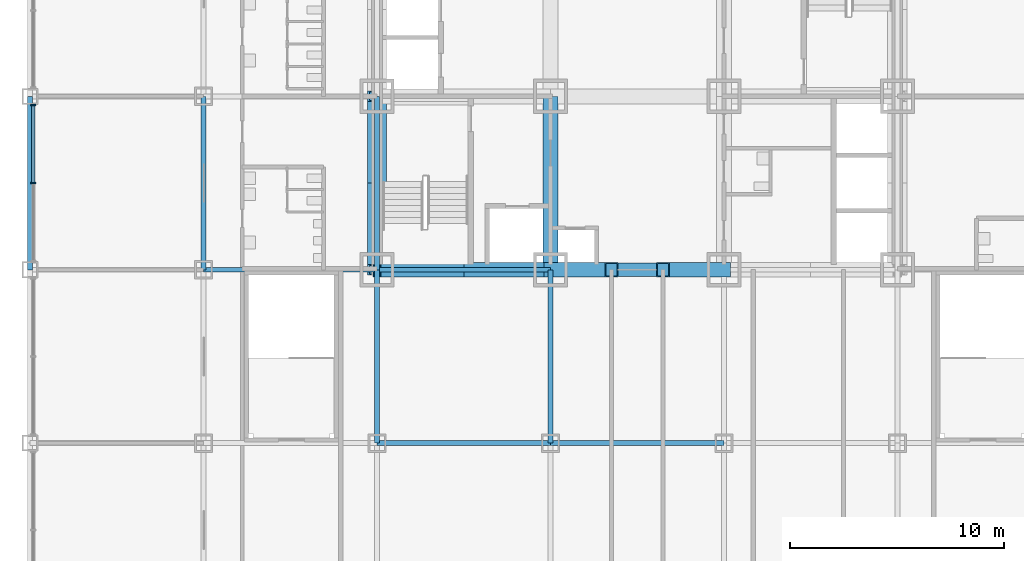
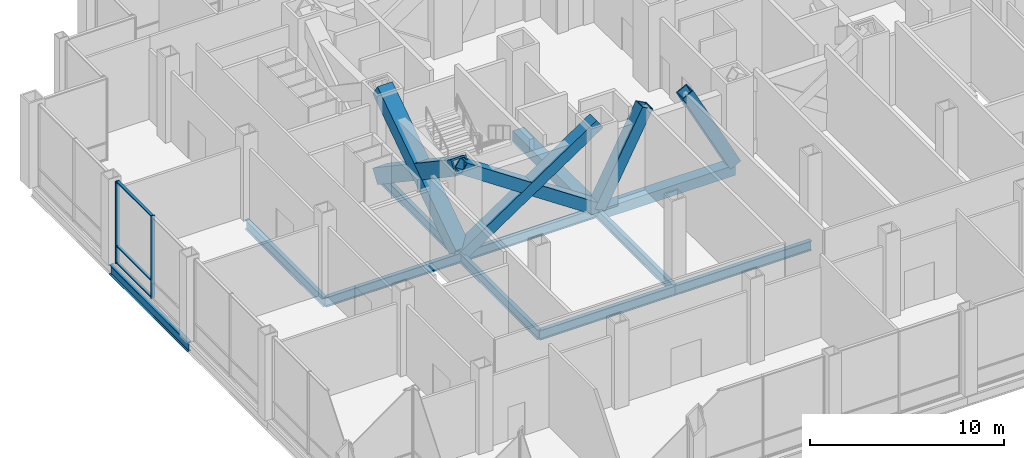
# One storey, part 4 of 18: 11 beams, 11 members, 1 element without a shape of its own.
"""IFC4 building model written with IfcOpenShell, lengths in metres."""

from ifc_helpers import new_model, si_unit, direction, frame, origin, origin_2d, place, context, subcontext, project, spatial, rectangle, hollow_rectangle, i_section, extrude, material, material_profile, profile_set, type_object, element, aggregate, save


model = new_model("IFC4")

# Units and contexts
model_context = context("Model", 3, precision=1e-05, world=origin(), true_north=direction((0.0, 1.0)))
body_context = subcontext(model_context, "Body", "Model", "MODEL_VIEW")
ifc_project = project(units=[si_unit("LENGTHUNIT", "METRE"), si_unit("AREAUNIT", "SQUARE_METRE"), si_unit("VOLUMEUNIT", "CUBIC_METRE"), si_unit("PLANEANGLEUNIT", "RADIAN"), si_unit("MASSUNIT", "GRAM", prefix="KILO")], contexts=[model_context])

# Site, building, storey
site_placement = place(None, origin())
site = spatial("IfcSite", under=ifc_project, at=site_placement, CompositionType="ELEMENT")
building_placement = place(site_placement, origin())
building = spatial("IfcBuilding", under=site, at=building_placement, Name="Kopane Lantern Tower", CompositionType="ELEMENT")
storey_placement = place(building_placement, frame((0.0, 0.0, 22.199951171875)))
storey = spatial("IfcBuildingStorey", under=building, at=storey_placement, Name="L04", CompositionType="ELEMENT", Elevation=22.199951171875)

# Members
ifc_material_1 = material(Name="Steel S355JR", Category="steel")
ifc_material_profile_1 = material_profile(ifc_material_1, hollow_rectangle(XDim=0.699951171875, YDim=0.699951171875, WallThickness=0.06005859375, at=origin_2d()), Name="BOX 700x700x60")
ifc_profile_set_1 = profile_set([ifc_material_profile_1], Name="Steel S355JR")
member_type_1 = type_object("IfcMemberType", Name="BRACE BOX 700x700x60", PredefinedType="BRACE", material=ifc_profile_set_1)
for number, where, z_axis, x_axis, name in (
    (1, (16.199951171875, 24.300048828125, -0.25), (0.830159256911, 0.0, 0.557526329571), (0.0, 1.0, 0.0), "Core brace L04"),
    (2, (24.300048828125, 24.300048828125, -0.25), (-0.830159256911, 0.0, 0.557526329571), (0.0, -1.0, 0.0), "Core brace L04"),
):
    element("IfcMember", number, at=place(storey_placement, frame(where, z_axis=z_axis, x_axis=x_axis)), inside=storey, type_object=member_type_1, Name=name, PredefinedType="BRACE", context=body_context, shape_type="SweptSolid", body=[
        extrude(hollow_rectangle(XDim=0.699951171875, YDim=0.699951171875, WallThickness=0.06005859375, at=origin_2d()), origin(), (0.0, 0.0, 1.0), 9.75732421875),
    ])
for number, where, z_axis, x_axis, name in (
    (3, (24.300048828125, 24.300048828125, -0.25), (0.464053044063, 0.0, 0.885807412645), (0.0, 1.0, 0.0), "Core brace L04"),
    (4, (32.39990234375, 24.300048828125, -0.25), (-0.464053044063, 0.0, 0.885807412645), (0.0, -1.0, 0.0), "Core brace L04"),
):
    element("IfcMember", number, at=place(storey_placement, frame(where, z_axis=z_axis, x_axis=x_axis)), inside=storey, type_object=member_type_1, Name=name, PredefinedType="BRACE", context=body_context, shape_type="SweptSolid", body=[
        extrude(hollow_rectangle(XDim=0.699951171875, YDim=0.699951171875, WallThickness=0.06005859375, at=origin_2d()), origin(), (0.0, 0.0, 1.0), 6.14111328125),
    ])
ifc_material_2 = material(Name="Steel S355JR", Category="steel")
ifc_material_profile_2 = material_profile(ifc_material_2, hollow_rectangle(XDim=0.89990234375, YDim=0.89990234375, WallThickness=0.090087890625, at=origin_2d()), Name="BOX 900x900x90")
ifc_profile_set_2 = profile_set([ifc_material_profile_2], Name="Steel S355JR")
member_type_2 = type_object("IfcMemberType", Name="BRACE BOX 900x900x90", PredefinedType="BRACE", material=ifc_profile_set_2)
for number, where, z_axis, x_axis, name in (
    (5, (16.199951171875, 24.300048828125, -0.25), (0.0, 0.830151479134, 0.557537910542), (-1.0, 0.0, 0.0), "Core brace L04"),
    (6, (16.199951171875, 32.39990234375, -0.25), (0.0, -0.830151479134, 0.557537910542), (1.0, 0.0, 0.0), "Core brace L04"),
):
    element("IfcMember", number, at=place(storey_placement, frame(where, z_axis=z_axis, x_axis=x_axis)), inside=storey, type_object=member_type_2, Name=name, PredefinedType="BRACE", context=body_context, shape_type="SweptSolid", body=[
        extrude(hollow_rectangle(XDim=0.89990234375, YDim=0.89990234375, WallThickness=0.090087890625, at=origin_2d()), origin(), (0.0, 0.0, 1.0), 9.757080078125),
    ])

# Beams
ifc_material_3 = material(Name="Steel S355JR", Category="steel")
ifc_material_profile_3 = material_profile(ifc_material_3, hollow_rectangle(XDim=0.699951171875, YDim=0.699951171875, WallThickness=0.06005859375, at=origin_2d()), Name="BOX 700x700x60")
ifc_profile_set_3 = profile_set([ifc_material_profile_3], Name="Steel S355JR")
beam_type_1 = type_object("IfcBeamType", Name="CORE BEAM BOX 700x700x60", PredefinedType="BEAM", material=ifc_profile_set_3)
beam_1_placement = place(storey_placement, frame((24.300048828125, 24.300048828125, -0.599853515625), z_axis=(0.0, 1.0, 0.0), x_axis=(-1.0, 0.0, 0.0)))
element("IfcBeam", 7, at=beam_1_placement, inside=storey, type_object=beam_type_1, Name="Core Beam L04", PredefinedType="BEAM", context=body_context, shape_type="SweptSolid", body=[
    extrude(hollow_rectangle(XDim=0.699951171875, YDim=0.699951171875, WallThickness=0.06005859375, at=origin_2d()), origin(), (0.0, 0.0, 1.0), 8.099853515625),
])
ifc_material_4 = material(Name="Steel S355JR", Category="steel")
ifc_material_profile_4 = material_profile(ifc_material_4, i_section(OverallWidth=0.22900390625, OverallDepth=0.6123046875, WebThickness=0.011962890625, FlangeThickness=0.01953125, FilletRadius=0.0126953125, at=origin_2d()), Name="UB 610x229x125")
ifc_profile_set_4 = profile_set([ifc_material_profile_4], Name="Steel S355JR")
beam_type_2 = type_object("IfcBeamType", Name="GIRDER UB 610x229x125", PredefinedType="BEAM", material=ifc_profile_set_4)
for number, where, z_axis, x_axis, name in (
    (8, (0.0, 24.300048828125, -0.55615234375), (0.0, 1.0, 0.0), (-1.0, 0.0, 0.0), "Girder L04"),
    (9, (8.10009765625, 24.300048828125, -0.55615234375), (0.0, 1.0, 0.0), (-1.0, 0.0, 0.0), "Girder L04"),
    (10, (8.10009765625, 24.300048828125, -0.55615234375), (1.0, 0.0, 0.0), (0.0, 1.0, 0.0), "Girder L04"),
):
    element("IfcBeam", number, at=place(storey_placement, frame(where, z_axis=z_axis, x_axis=x_axis)), inside=storey, type_object=beam_type_2, Name=name, PredefinedType="BEAM", context=body_context, shape_type="SweptSolid", body=[
        extrude(i_section(OverallWidth=0.22900390625, OverallDepth=0.6123046875, WebThickness=0.011962890625, FlangeThickness=0.01953125, FilletRadius=0.0126953125, at=origin_2d()), origin(), (0.0, 0.0, 1.0), 8.099853515625),
    ])
for number, where, z_axis, x_axis, name in (
    (11, (16.199951171875, 16.199951171875, -0.55615234375), (0.0, 1.0, 0.0), (-1.0, 0.0, 0.0), "Girder L04"),
    (12, (16.199951171875, 16.199951171875, -0.55615234375), (1.0, 0.0, 0.0), (0.0, 1.0, 0.0), "Girder L04"),
):
    element("IfcBeam", number, at=place(storey_placement, frame(where, z_axis=z_axis, x_axis=x_axis)), inside=storey, type_object=beam_type_2, Name=name, PredefinedType="BEAM", context=body_context, shape_type="SweptSolid", body=[
        extrude(i_section(OverallWidth=0.22900390625, OverallDepth=0.6123046875, WebThickness=0.011962890625, FlangeThickness=0.01953125, FilletRadius=0.0126953125, at=origin_2d()), origin(), (0.0, 0.0, 1.0), 8.10009765625),
    ])
beam_2_placement = place(storey_placement, frame((16.199951171875, 24.300048828125, -0.55615234375), z_axis=(0.0, 1.0, 0.0), x_axis=(-1.0, 0.0, 0.0)))
element("IfcBeam", 13, at=beam_2_placement, inside=storey, type_object=beam_type_2, Name="Girder L04", PredefinedType="BEAM", context=body_context, shape_type="SweptSolid", body=[
    extrude(i_section(OverallWidth=0.22900390625, OverallDepth=0.6123046875, WebThickness=0.011962890625, FlangeThickness=0.01953125, FilletRadius=0.0126953125, at=origin_2d()), origin(), (0.0, 0.0, 1.0), 8.099853515625),
])
for number, where, z_axis, x_axis, name in (
    (14, (16.199951171875, 24.300048828125, -0.55615234375), (1.0, 0.0, 0.0), (0.0, 1.0, 0.0), "Girder L04"),
    (15, (24.300048828125, 16.199951171875, -0.55615234375), (0.0, 1.0, 0.0), (-1.0, 0.0, 0.0), "Girder L04"),
):
    element("IfcBeam", number, at=place(storey_placement, frame(where, z_axis=z_axis, x_axis=x_axis)), inside=storey, type_object=beam_type_2, Name=name, PredefinedType="BEAM", context=body_context, shape_type="SweptSolid", body=[
        extrude(i_section(OverallWidth=0.22900390625, OverallDepth=0.6123046875, WebThickness=0.011962890625, FlangeThickness=0.01953125, FilletRadius=0.0126953125, at=origin_2d()), origin(), (0.0, 0.0, 1.0), 8.10009765625),
    ])
beam_3_placement = place(storey_placement, frame((24.300048828125, 16.199951171875, -0.55615234375), z_axis=(1.0, 0.0, 0.0), x_axis=(0.0, 1.0, 0.0)))
element("IfcBeam", 16, at=beam_3_placement, inside=storey, type_object=beam_type_2, Name="Girder L04", PredefinedType="BEAM", context=body_context, shape_type="SweptSolid", body=[
    extrude(i_section(OverallWidth=0.22900390625, OverallDepth=0.6123046875, WebThickness=0.011962890625, FlangeThickness=0.01953125, FilletRadius=0.0126953125, at=origin_2d()), origin(), (0.0, 0.0, 1.0), 8.099853515625),
])
ifc_material_5 = material(Name="Steel S355JR", Category="steel")
ifc_material_profile_5 = material_profile(ifc_material_5, hollow_rectangle(XDim=0.64990234375, YDim=0.64990234375, WallThickness=0.070068359375, at=origin_2d()), Name="BOX 650x650x70")
ifc_profile_set_5 = profile_set([ifc_material_profile_5], Name="Steel S355JR")
beam_type_3 = type_object("IfcBeamType", Name="LINK BEAM BOX 650x650x70", PredefinedType="BEAM", material=ifc_profile_set_5)
beam_4_placement = place(storey_placement, frame((24.300048828125, 24.300048828125, -0.574951171875), z_axis=(1.0, 0.0, 0.0), x_axis=(0.0, 1.0, 0.0)))
element("IfcBeam", 17, at=beam_4_placement, inside=storey, type_object=beam_type_3, Name="Link Beam L04", PredefinedType="BEAM", context=body_context, shape_type="SweptSolid", body=[
    extrude(hollow_rectangle(XDim=0.64990234375, YDim=0.64990234375, WallThickness=0.070068359375, at=origin_2d()), origin(), (0.0, 0.0, 1.0), 8.099853515625),
])

# Curtain wall, members
ifc_material_6 = material(Name="Aluminium and clear glass", Category="aluminium")
curtain_wall_type = type_object("IfcCurtainWallType", Name="CURTAIN WALL CW3 SKY LOBBY", PredefinedType="USERDEFINED", material=ifc_material_6)
curtain_wall_placement = place(storey_placement, origin())
curtain_wall = element("IfcCurtainWall", 18, at=curtain_wall_placement, inside=storey, type_object=curtain_wall_type, Name="Curtain wall CW3 W L04", ObjectType="CURTAIN WALL", PredefinedType="USERDEFINED")
ifc_material_7 = material(Name="Aluminium", Category="aluminium")
ifc_material_profile_6 = material_profile(ifc_material_7, rectangle(XDim=0.070068359375, YDim=0.22509765625, at=origin_2d()), Name="AL 70x225")
ifc_profile_set_6 = profile_set([ifc_material_profile_6], Name="Aluminium")
member_type_3 = type_object("IfcMemberType", Name="MULLION CW3-M 70x225", PredefinedType="MULLION", material=ifc_profile_set_6)
member_1_placement = place(storey_placement, frame((0.14990234375, 31.985107421875, 0.0), z_axis=(0.0, 0.0, 1.0), x_axis=(0.0, -1.0, 0.0)))
member_1 = element("IfcMember", 19, at=member_1_placement, type_object=member_type_3, Name="CW3 mullion 1", PredefinedType="MULLION", context=body_context, shape_type="SweptSolid", body=[
    extrude(rectangle(XDim=0.070068359375, YDim=0.22509765625, at=origin_2d()), origin(), (0.0, 0.0, 1.0), 5.18994140625),
])
member_2_placement = place(storey_placement, frame((0.14990234375, 28.35009765625, 0.0), z_axis=(0.0, 0.0, 1.0), x_axis=(0.0, -1.0, 0.0)))
member_2 = element("IfcMember", 20, at=member_2_placement, type_object=member_type_3, Name="CW3 mullion 2", PredefinedType="MULLION", context=body_context, shape_type="SweptSolid", body=[
    extrude(rectangle(XDim=0.070068359375, YDim=0.22509765625, at=origin_2d()), origin(), (0.0, 0.0, 1.0), 5.18994140625),
])
ifc_material_8 = material(Name="Aluminium", Category="aluminium")
ifc_material_profile_7 = material_profile(ifc_material_8, rectangle(XDim=0.159912109375, YDim=0.070068359375, at=origin_2d()), Name="AL 160x70")
ifc_profile_set_7 = profile_set([ifc_material_profile_7], Name="Aluminium")
member_type_4 = type_object("IfcMemberType", Name="TRANSOM CW3-T 70x160", PredefinedType="USERDEFINED", material=ifc_profile_set_7)
member_3_placement = place(storey_placement, frame((0.14990234375, 31.949951171875, 0.03515625), z_axis=(0.0, -1.0, 0.0), x_axis=(1.0, 0.0, 0.0)))
member_3 = element("IfcMember", 21, at=member_3_placement, type_object=member_type_4, Name="CW3 transom 1.1", ObjectType="TRANSOM", PredefinedType="USERDEFINED", context=body_context, shape_type="SweptSolid", body=[
    extrude(rectangle(XDim=0.159912109375, YDim=0.070068359375, at=origin_2d()), origin(), (0.0, 0.0, 1.0), 3.56494140625),
])
member_4_placement = place(storey_placement, frame((0.14990234375, 31.949951171875, 1.10009765625), z_axis=(0.0, -1.0, 0.0), x_axis=(1.0, 0.0, 0.0)))
member_4 = element("IfcMember", 22, at=member_4_placement, type_object=member_type_4, Name="CW3 transom 1.2", ObjectType="TRANSOM", PredefinedType="USERDEFINED", context=body_context, shape_type="SweptSolid", body=[
    extrude(rectangle(XDim=0.159912109375, YDim=0.070068359375, at=origin_2d()), origin(), (0.0, 0.0, 1.0), 3.56494140625),
])
member_5_placement = place(storey_placement, frame((0.14990234375, 31.949951171875, 5.155029296875), z_axis=(0.0, -1.0, 0.0), x_axis=(1.0, 0.0, 0.0)))
member_5 = element("IfcMember", 23, at=member_5_placement, type_object=member_type_4, Name="CW3 transom 1.3", ObjectType="TRANSOM", PredefinedType="USERDEFINED", context=body_context, shape_type="SweptSolid", body=[
    extrude(rectangle(XDim=0.159912109375, YDim=0.070068359375, at=origin_2d()), origin(), (0.0, 0.0, 1.0), 3.56494140625),
])
aggregate(curtain_wall, [member_1, member_2, member_3, member_4, member_5])

save(model, "model.ifc")
